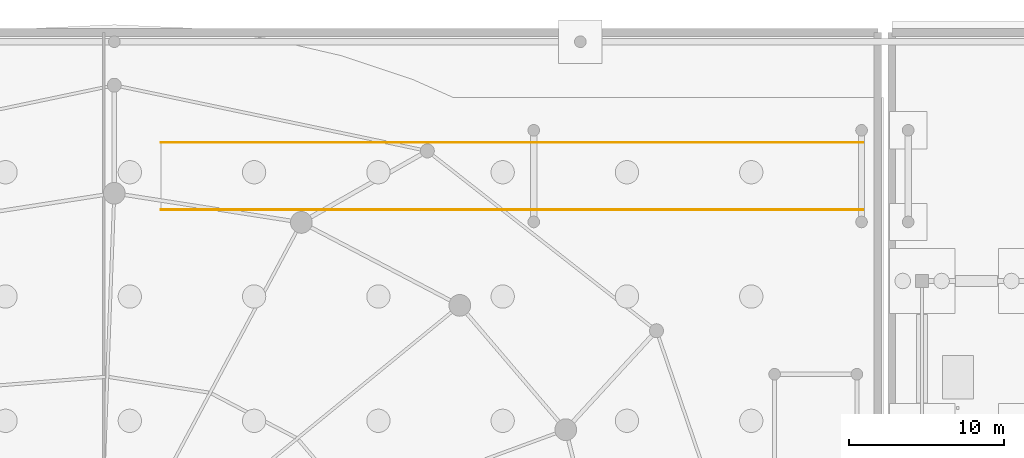
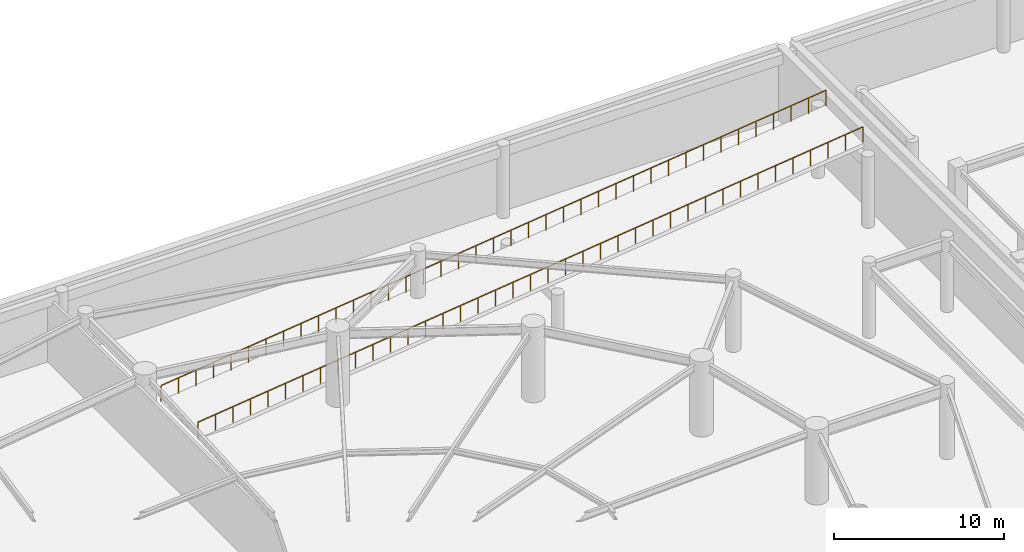
# One storey, part 19 of 22: 2 railings.
"""IFC4 building model written with IfcOpenShell, lengths in metres."""

from ifc_helpers import new_model, si_unit, direction, frame, origin, origin_2d, place, context, subcontext, project, spatial, rectangle, extrude, material, type_object, element, save


model = new_model("IFC4")

# Units and contexts
model_context = context("Model", 3, precision=1e-05, world=origin(), true_north=direction((0.0, 1.0)))
body_context = subcontext(model_context, "Body", "Model", "MODEL_VIEW")
ifc_project = project(units=[si_unit("LENGTHUNIT", "METRE"), si_unit("AREAUNIT", "SQUARE_METRE"), si_unit("VOLUMEUNIT", "CUBIC_METRE"), si_unit("PLANEANGLEUNIT", "RADIAN"), si_unit("MASSUNIT", "GRAM", prefix="KILO")], contexts=[model_context])

# Site, building, storey
site_placement = place(None, origin())
site = spatial("IfcSite", under=ifc_project, at=site_placement, CompositionType="ELEMENT")
building_placement = place(site_placement, origin())
building = spatial("IfcBuilding", under=site, at=building_placement, Name="Kazevale Care Tower and Concert Hall", CompositionType="ELEMENT")
storey_placement = place(building_placement, frame((0.0, 0.0, -5.39990234375)))
storey = spatial("IfcBuildingStorey", under=building, at=storey_placement, Name="B1", CompositionType="ELEMENT", Elevation=-5.39990234375)

# Railings
ifc_material = material(Name="Stainless Steel 316", Category="steel")
railing_type = type_object("IfcRailingType", Name="Ramp Stainless Guard Rail", PredefinedType="BALUSTRADE", material=ifc_material)
railing_1_placement = place(storey_placement, frame((48.0, 61.580078125, 0.0)))
element("IfcRailing", 1, at=railing_1_placement, inside=storey, type_object=railing_type, Name="rail:B1:veh_ramp:S", PredefinedType="BALUSTRADE", context=body_context, shape_type="SweptSolid", body=[
    extrude(rectangle(XDim=0.048095703125, YDim=0.048095703125, at=origin_2d()), frame((0.0, 0.0, 1.1259765625), z_axis=(0.992939308849, 0.0, 0.118623475514), x_axis=(0.0, 1.0, 0.0)), (0.0, 0.0, 1.0), 45.521484375),
    extrude(rectangle(XDim=0.0419921875, YDim=0.0419921875, at=origin_2d()), origin(), (0.0, 0.0, 1.0), 1.101806640625),
    extrude(rectangle(XDim=0.0419921875, YDim=0.0419921875, at=origin_2d()), frame((1.189453125, 0.0, 0.14208984375)), (0.0, 0.0, 1.0), 1.101806640625),
    extrude(rectangle(XDim=0.0419921875, YDim=0.0419921875, at=origin_2d()), frame((2.37890625, 0.0, 0.2841796875)), (0.0, 0.0, 1.0), 1.101806640625),
    extrude(rectangle(XDim=0.0419921875, YDim=0.0419921875, at=origin_2d()), frame((3.568359375, 0.0, 0.42626953125)), (0.0, 0.0, 1.0), 1.101806640625),
    extrude(rectangle(XDim=0.0419921875, YDim=0.0419921875, at=origin_2d()), frame((4.7578125, 0.0, 0.568359375)), (0.0, 0.0, 1.0), 1.101806640625),
    extrude(rectangle(XDim=0.0419921875, YDim=0.0419921875, at=origin_2d()), frame((5.947265625, 0.0, 0.71044921875)), (0.0, 0.0, 1.0), 1.101806640625),
    extrude(rectangle(XDim=0.0419921875, YDim=0.0419921875, at=origin_2d()), frame((7.13671875, 0.0, 0.8525390625)), (0.0, 0.0, 1.0), 1.101806640625),
    extrude(rectangle(XDim=0.0419921875, YDim=0.0419921875, at=origin_2d()), frame((8.326416015625, 0.0, 0.99462890625)), (0.0, 0.0, 1.0), 1.101806640625),
    extrude(rectangle(XDim=0.0419921875, YDim=0.0419921875, at=origin_2d()), frame((9.515869140625, 0.0, 1.13671875)), (0.0, 0.0, 1.0), 1.101806640625),
    extrude(rectangle(XDim=0.0419921875, YDim=0.0419921875, at=origin_2d()), frame((10.705322265625, 0.0, 1.27880859375)), (0.0, 0.0, 1.0), 1.101806640625),
    extrude(rectangle(XDim=0.0419921875, YDim=0.0419921875, at=origin_2d()), frame((11.894775390625, 0.0, 1.421142578125)), (0.0, 0.0, 1.0), 1.101806640625),
    extrude(rectangle(XDim=0.0419921875, YDim=0.0419921875, at=origin_2d()), frame((13.084228515625, 0.0, 1.563232421875)), (0.0, 0.0, 1.0), 1.101806640625),
    extrude(rectangle(XDim=0.0419921875, YDim=0.0419921875, at=origin_2d()), frame((14.273681640625, 0.0, 1.705322265625)), (0.0, 0.0, 1.0), 1.101806640625),
    extrude(rectangle(XDim=0.0419921875, YDim=0.0419921875, at=origin_2d()), frame((15.463134765625, 0.0, 1.847412109375)), (0.0, 0.0, 1.0), 1.101806640625),
    extrude(rectangle(XDim=0.0419921875, YDim=0.0419921875, at=origin_2d()), frame((16.652587890625, 0.0, 1.989501953125)), (0.0, 0.0, 1.0), 1.101806640625),
    extrude(rectangle(XDim=0.0419921875, YDim=0.0419921875, at=origin_2d()), frame((17.842041015625, 0.0, 2.131591796875)), (0.0, 0.0, 1.0), 1.101806640625),
    extrude(rectangle(XDim=0.0419921875, YDim=0.0419921875, at=origin_2d()), frame((19.031494140625, 0.0, 2.273681640625)), (0.0, 0.0, 1.0), 1.101806640625),
    extrude(rectangle(XDim=0.0419921875, YDim=0.0419921875, at=origin_2d()), frame((20.220947265625, 0.0, 2.415771484375)), (0.0, 0.0, 1.0), 1.101806640625),
    extrude(rectangle(XDim=0.0419921875, YDim=0.0419921875, at=origin_2d()), frame((21.410400390625, 0.0, 2.557861328125)), (0.0, 0.0, 1.0), 1.101806640625),
    extrude(rectangle(XDim=0.0419921875, YDim=0.0419921875, at=origin_2d()), frame((22.60009765625, 0.0, 2.699951171875)), (0.0, 0.0, 1.0), 1.101806640625),
    extrude(rectangle(XDim=0.0419921875, YDim=0.0419921875, at=origin_2d()), frame((23.78955078125, 0.0, 2.842041015625)), (0.0, 0.0, 1.0), 1.101806640625),
    extrude(rectangle(XDim=0.0419921875, YDim=0.0419921875, at=origin_2d()), frame((24.97900390625, 0.0, 2.984130859375)), (0.0, 0.0, 1.0), 1.101806640625),
    extrude(rectangle(XDim=0.0419921875, YDim=0.0419921875, at=origin_2d()), frame((26.16845703125, 0.0, 3.126220703125)), (0.0, 0.0, 1.0), 1.101806640625),
    extrude(rectangle(XDim=0.0419921875, YDim=0.0419921875, at=origin_2d()), frame((27.35791015625, 0.0, 3.268310546875)), (0.0, 0.0, 1.0), 1.101806640625),
    extrude(rectangle(XDim=0.0419921875, YDim=0.0419921875, at=origin_2d()), frame((28.54736328125, 0.0, 3.410400390625)), (0.0, 0.0, 1.0), 1.101806640625),
    extrude(rectangle(XDim=0.0419921875, YDim=0.0419921875, at=origin_2d()), frame((29.73681640625, 0.0, 3.552490234375)), (0.0, 0.0, 1.0), 1.101806640625),
    extrude(rectangle(XDim=0.0419921875, YDim=0.0419921875, at=origin_2d()), frame((30.92626953125, 0.0, 3.694580078125)), (0.0, 0.0, 1.0), 1.101806640625),
    extrude(rectangle(XDim=0.0419921875, YDim=0.0419921875, at=origin_2d()), frame((32.11572265625, 0.0, 3.836669921875)), (0.0, 0.0, 1.0), 1.101806640625),
    extrude(rectangle(XDim=0.0419921875, YDim=0.0419921875, at=origin_2d()), frame((33.30517578125, 0.0, 3.978759765625)), (0.0, 0.0, 1.0), 1.101806640625),
    extrude(rectangle(XDim=0.0419921875, YDim=0.0419921875, at=origin_2d()), frame((34.49462890625, 0.0, 4.12109375)), (0.0, 0.0, 1.0), 1.101806640625),
    extrude(rectangle(XDim=0.0419921875, YDim=0.0419921875, at=origin_2d()), frame((35.68408203125, 0.0, 4.26318359375)), (0.0, 0.0, 1.0), 1.101806640625),
    extrude(rectangle(XDim=0.0419921875, YDim=0.0419921875, at=origin_2d()), frame((36.87353515625, 0.0, 4.4052734375)), (0.0, 0.0, 1.0), 1.101806640625),
    extrude(rectangle(XDim=0.0419921875, YDim=0.0419921875, at=origin_2d()), frame((38.063232421875, 0.0, 4.54736328125)), (0.0, 0.0, 1.0), 1.101806640625),
    extrude(rectangle(XDim=0.0419921875, YDim=0.0419921875, at=origin_2d()), frame((39.252685546875, 0.0, 4.689453125)), (0.0, 0.0, 1.0), 1.101806640625),
    extrude(rectangle(XDim=0.0419921875, YDim=0.0419921875, at=origin_2d()), frame((40.442138671875, 0.0, 4.83154296875)), (0.0, 0.0, 1.0), 1.101806640625),
    extrude(rectangle(XDim=0.0419921875, YDim=0.0419921875, at=origin_2d()), frame((41.631591796875, 0.0, 4.9736328125)), (0.0, 0.0, 1.0), 1.101806640625),
    extrude(rectangle(XDim=0.0419921875, YDim=0.0419921875, at=origin_2d()), frame((42.821044921875, 0.0, 5.11572265625)), (0.0, 0.0, 1.0), 1.101806640625),
    extrude(rectangle(XDim=0.0419921875, YDim=0.0419921875, at=origin_2d()), frame((44.010498046875, 0.0, 5.2578125)), (0.0, 0.0, 1.0), 1.101806640625),
    extrude(rectangle(XDim=0.0419921875, YDim=0.0419921875, at=origin_2d()), frame((45.199951171875, 0.0, 5.39990234375)), (0.0, 0.0, 1.0), 1.101806640625),
])
railing_2_placement = place(storey_placement, frame((48.0, 65.919921875, 0.0)))
element("IfcRailing", 2, at=railing_2_placement, inside=storey, type_object=railing_type, Name="rail:B1:veh_ramp:N", PredefinedType="BALUSTRADE", context=body_context, shape_type="SweptSolid", body=[
    extrude(rectangle(XDim=0.048095703125, YDim=0.048095703125, at=origin_2d()), frame((0.0, 0.0, 1.1259765625), z_axis=(0.992939308849, 0.0, 0.118623475514), x_axis=(0.0, 1.0, 0.0)), (0.0, 0.0, 1.0), 45.521484375),
    extrude(rectangle(XDim=0.0419921875, YDim=0.0419921875, at=origin_2d()), origin(), (0.0, 0.0, 1.0), 1.101806640625),
    extrude(rectangle(XDim=0.0419921875, YDim=0.0419921875, at=origin_2d()), frame((1.189453125, 0.0, 0.14208984375)), (0.0, 0.0, 1.0), 1.101806640625),
    extrude(rectangle(XDim=0.0419921875, YDim=0.0419921875, at=origin_2d()), frame((2.37890625, 0.0, 0.2841796875)), (0.0, 0.0, 1.0), 1.101806640625),
    extrude(rectangle(XDim=0.0419921875, YDim=0.0419921875, at=origin_2d()), frame((3.568359375, 0.0, 0.42626953125)), (0.0, 0.0, 1.0), 1.101806640625),
    extrude(rectangle(XDim=0.0419921875, YDim=0.0419921875, at=origin_2d()), frame((4.7578125, 0.0, 0.568359375)), (0.0, 0.0, 1.0), 1.101806640625),
    extrude(rectangle(XDim=0.0419921875, YDim=0.0419921875, at=origin_2d()), frame((5.947265625, 0.0, 0.71044921875)), (0.0, 0.0, 1.0), 1.101806640625),
    extrude(rectangle(XDim=0.0419921875, YDim=0.0419921875, at=origin_2d()), frame((7.13671875, 0.0, 0.8525390625)), (0.0, 0.0, 1.0), 1.101806640625),
    extrude(rectangle(XDim=0.0419921875, YDim=0.0419921875, at=origin_2d()), frame((8.326416015625, 0.0, 0.99462890625)), (0.0, 0.0, 1.0), 1.101806640625),
    extrude(rectangle(XDim=0.0419921875, YDim=0.0419921875, at=origin_2d()), frame((9.515869140625, 0.0, 1.13671875)), (0.0, 0.0, 1.0), 1.101806640625),
    extrude(rectangle(XDim=0.0419921875, YDim=0.0419921875, at=origin_2d()), frame((10.705322265625, 0.0, 1.27880859375)), (0.0, 0.0, 1.0), 1.101806640625),
    extrude(rectangle(XDim=0.0419921875, YDim=0.0419921875, at=origin_2d()), frame((11.894775390625, 0.0, 1.421142578125)), (0.0, 0.0, 1.0), 1.101806640625),
    extrude(rectangle(XDim=0.0419921875, YDim=0.0419921875, at=origin_2d()), frame((13.084228515625, 0.0, 1.563232421875)), (0.0, 0.0, 1.0), 1.101806640625),
    extrude(rectangle(XDim=0.0419921875, YDim=0.0419921875, at=origin_2d()), frame((14.273681640625, 0.0, 1.705322265625)), (0.0, 0.0, 1.0), 1.101806640625),
    extrude(rectangle(XDim=0.0419921875, YDim=0.0419921875, at=origin_2d()), frame((15.463134765625, 0.0, 1.847412109375)), (0.0, 0.0, 1.0), 1.101806640625),
    extrude(rectangle(XDim=0.0419921875, YDim=0.0419921875, at=origin_2d()), frame((16.652587890625, 0.0, 1.989501953125)), (0.0, 0.0, 1.0), 1.101806640625),
    extrude(rectangle(XDim=0.0419921875, YDim=0.0419921875, at=origin_2d()), frame((17.842041015625, 0.0, 2.131591796875)), (0.0, 0.0, 1.0), 1.101806640625),
    extrude(rectangle(XDim=0.0419921875, YDim=0.0419921875, at=origin_2d()), frame((19.031494140625, 0.0, 2.273681640625)), (0.0, 0.0, 1.0), 1.101806640625),
    extrude(rectangle(XDim=0.0419921875, YDim=0.0419921875, at=origin_2d()), frame((20.220947265625, 0.0, 2.415771484375)), (0.0, 0.0, 1.0), 1.101806640625),
    extrude(rectangle(XDim=0.0419921875, YDim=0.0419921875, at=origin_2d()), frame((21.410400390625, 0.0, 2.557861328125)), (0.0, 0.0, 1.0), 1.101806640625),
    extrude(rectangle(XDim=0.0419921875, YDim=0.0419921875, at=origin_2d()), frame((22.60009765625, 0.0, 2.699951171875)), (0.0, 0.0, 1.0), 1.101806640625),
    extrude(rectangle(XDim=0.0419921875, YDim=0.0419921875, at=origin_2d()), frame((23.78955078125, 0.0, 2.842041015625)), (0.0, 0.0, 1.0), 1.101806640625),
    extrude(rectangle(XDim=0.0419921875, YDim=0.0419921875, at=origin_2d()), frame((24.97900390625, 0.0, 2.984130859375)), (0.0, 0.0, 1.0), 1.101806640625),
    extrude(rectangle(XDim=0.0419921875, YDim=0.0419921875, at=origin_2d()), frame((26.16845703125, 0.0, 3.126220703125)), (0.0, 0.0, 1.0), 1.101806640625),
    extrude(rectangle(XDim=0.0419921875, YDim=0.0419921875, at=origin_2d()), frame((27.35791015625, 0.0, 3.268310546875)), (0.0, 0.0, 1.0), 1.101806640625),
    extrude(rectangle(XDim=0.0419921875, YDim=0.0419921875, at=origin_2d()), frame((28.54736328125, 0.0, 3.410400390625)), (0.0, 0.0, 1.0), 1.101806640625),
    extrude(rectangle(XDim=0.0419921875, YDim=0.0419921875, at=origin_2d()), frame((29.73681640625, 0.0, 3.552490234375)), (0.0, 0.0, 1.0), 1.101806640625),
    extrude(rectangle(XDim=0.0419921875, YDim=0.0419921875, at=origin_2d()), frame((30.92626953125, 0.0, 3.694580078125)), (0.0, 0.0, 1.0), 1.101806640625),
    extrude(rectangle(XDim=0.0419921875, YDim=0.0419921875, at=origin_2d()), frame((32.11572265625, 0.0, 3.836669921875)), (0.0, 0.0, 1.0), 1.101806640625),
    extrude(rectangle(XDim=0.0419921875, YDim=0.0419921875, at=origin_2d()), frame((33.30517578125, 0.0, 3.978759765625)), (0.0, 0.0, 1.0), 1.101806640625),
    extrude(rectangle(XDim=0.0419921875, YDim=0.0419921875, at=origin_2d()), frame((34.49462890625, 0.0, 4.12109375)), (0.0, 0.0, 1.0), 1.101806640625),
    extrude(rectangle(XDim=0.0419921875, YDim=0.0419921875, at=origin_2d()), frame((35.68408203125, 0.0, 4.26318359375)), (0.0, 0.0, 1.0), 1.101806640625),
    extrude(rectangle(XDim=0.0419921875, YDim=0.0419921875, at=origin_2d()), frame((36.87353515625, 0.0, 4.4052734375)), (0.0, 0.0, 1.0), 1.101806640625),
    extrude(rectangle(XDim=0.0419921875, YDim=0.0419921875, at=origin_2d()), frame((38.063232421875, 0.0, 4.54736328125)), (0.0, 0.0, 1.0), 1.101806640625),
    extrude(rectangle(XDim=0.0419921875, YDim=0.0419921875, at=origin_2d()), frame((39.252685546875, 0.0, 4.689453125)), (0.0, 0.0, 1.0), 1.101806640625),
    extrude(rectangle(XDim=0.0419921875, YDim=0.0419921875, at=origin_2d()), frame((40.442138671875, 0.0, 4.83154296875)), (0.0, 0.0, 1.0), 1.101806640625),
    extrude(rectangle(XDim=0.0419921875, YDim=0.0419921875, at=origin_2d()), frame((41.631591796875, 0.0, 4.9736328125)), (0.0, 0.0, 1.0), 1.101806640625),
    extrude(rectangle(XDim=0.0419921875, YDim=0.0419921875, at=origin_2d()), frame((42.821044921875, 0.0, 5.11572265625)), (0.0, 0.0, 1.0), 1.101806640625),
    extrude(rectangle(XDim=0.0419921875, YDim=0.0419921875, at=origin_2d()), frame((44.010498046875, 0.0, 5.2578125)), (0.0, 0.0, 1.0), 1.101806640625),
    extrude(rectangle(XDim=0.0419921875, YDim=0.0419921875, at=origin_2d()), frame((45.199951171875, 0.0, 5.39990234375)), (0.0, 0.0, 1.0), 1.101806640625),
])

save(model, "model.ifc")
